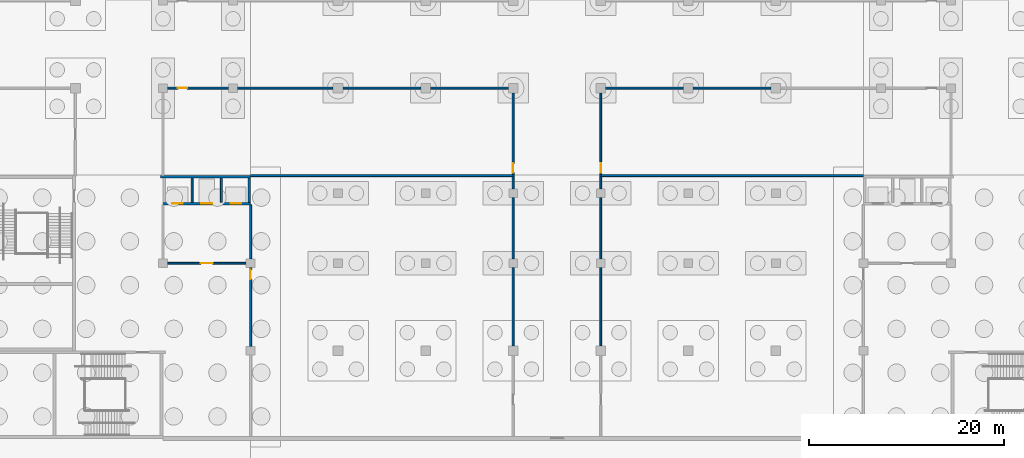
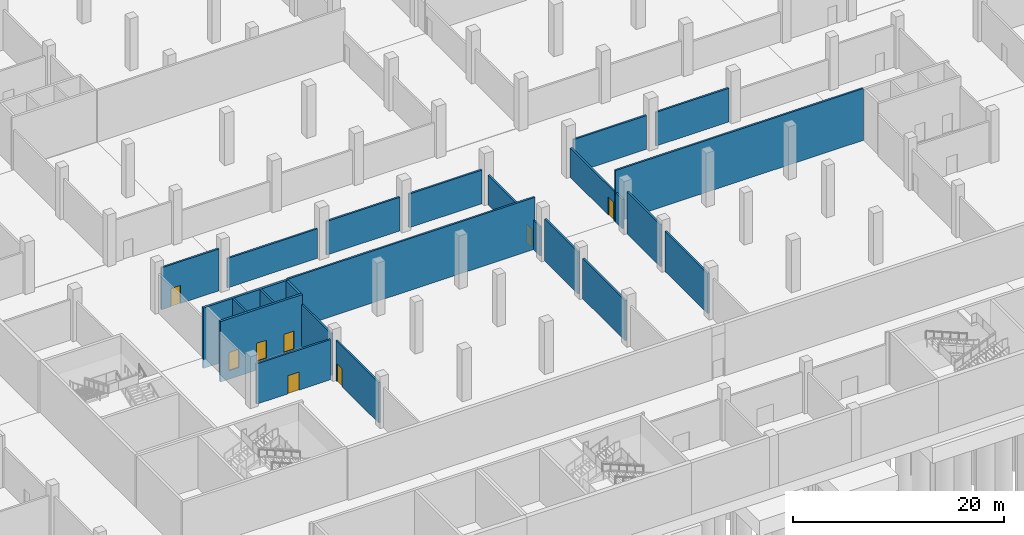
# One storey, part 11 of 42: 24 walls, 8 doors, 8 openings.
"""IFC4 building model written with IfcOpenShell, lengths in metres."""

from ifc_helpers import new_model, si_unit, direction, frame, frame_2d, origin, place, context, subcontext, project, spatial, rectangle, extrude, material, layer, layer_set, type_object, element, fill, save


model = new_model("IFC4")

# Units and contexts
model_context = context("Model", 3, precision=1e-05, world=origin(), true_north=direction((0.0, 1.0)))
body_context = subcontext(model_context, "Body", "Model", "MODEL_VIEW")
ifc_project = project(units=[si_unit("LENGTHUNIT", "METRE"), si_unit("AREAUNIT", "SQUARE_METRE"), si_unit("VOLUMEUNIT", "CUBIC_METRE"), si_unit("PLANEANGLEUNIT", "RADIAN"), si_unit("MASSUNIT", "GRAM", prefix="KILO")], contexts=[model_context])

# Site, building, storey
site_placement = place(None, origin())
site = spatial("IfcSite", under=ifc_project, at=site_placement, CompositionType="ELEMENT")
building_placement = place(site_placement, origin())
building = spatial("IfcBuilding", under=site, at=building_placement, Name="Silverbay Arena", CompositionType="ELEMENT")
storey_placement = place(building_placement, frame((0.0, 0.0, -6.0)))
storey = spatial("IfcBuildingStorey", under=building, at=storey_placement, Name="B1", CompositionType="ELEMENT", Elevation=-6.0)

# Walls
ifc_material_1 = material(Name="Concrete Grade C45", Category="concrete")
ifc_layer_1 = layer(ifc_material_1, 0.199951171875)
ifc_layer_set_1 = layer_set([ifc_layer_1], Name="Concrete Grade C45")
wall_type_1 = type_object("IfcWallType", Name="Lift shaft divider RC 200 EI 240", PredefinedType="SHEAR", material=ifc_layer_set_1)
for number, where, z_axis, x_axis, name in (
    (1, (93.0, 60.25, -1.0), (0.0, 0.0, 1.0), (0.0, 1.0, 0.0), "Lift shaft divider LB-SW B1 1"),
    (2, (96.0, 60.25, -1.0), (0.0, 0.0, 1.0), (0.0, 1.0, 0.0), "Lift shaft divider LB-SW B1 2"),
):
    element("IfcWall", number, at=place(storey_placement, frame(where, z_axis=z_axis, x_axis=x_axis)), inside=storey, type_object=wall_type_1, Name=name, PredefinedType="SHEAR", context=body_context, shape_type="SweptSolid", body=[
        extrude(rectangle(XDim=2.5, YDim=0.199951171875, at=frame_2d((1.25, 0.0))), origin(), (0.0, 0.0, 1.0), 7.0),
    ])

# Wall, openings, doors
ifc_material_2 = material(Name="Concrete Grade C45", Category="concrete")
ifc_layer_2 = layer(ifc_material_2, 0.25)
ifc_layer_set_2 = layer_set([ifc_layer_2], Name="Concrete Grade C45")
wall_type_2 = type_object("IfcWallType", Name="Lift shaft wall RC 250 EI 240", PredefinedType="SHEAR", material=ifc_layer_set_2)
wall_1_placement = place(storey_placement, frame((90.0, 60.125, -1.0), z_axis=(0.0, 0.0, 1.0), x_axis=(1.0, 0.0, 0.0)))
wall_1 = element("IfcWall", 3, at=wall_1_placement, inside=storey, type_object=wall_type_2, Name="Lift shaft wall LB-SW B1 landing side", PredefinedType="SHEAR", context=body_context, shape_type="SweptSolid", body=[
    extrude(rectangle(XDim=9.0, YDim=0.25, at=frame_2d((4.5, 0.0))), origin(), (0.0, 0.0, 1.0), 7.0),
])
opening_1_placement = place(wall_1_placement, frame((0.949951171875, 0.0, 1.0)))
opening_1 = element("IfcOpeningElement", 4, at=opening_1_placement, cuts=wall_1, Name="Opening B1-100", PredefinedType="OPENING", context=body_context, shape_type="SweptSolid", body=[
    extrude(rectangle(XDim=1.10009765625, YDim=2.10009765625, at=frame_2d((0.550048828125, 1.050048828125))), frame((0.0, 0.135009765625, 0.0), z_axis=(0.0, -1.0, 0.0), x_axis=(1.0, 0.0, 0.0)), (0.0, 0.0, 1.0), 0.27001953125),
])
opening_2_placement = place(wall_1_placement, frame((3.949951171875, 0.0, 1.0)))
opening_2 = element("IfcOpeningElement", 5, at=opening_2_placement, cuts=wall_1, Name="Opening B1-101", PredefinedType="OPENING", context=body_context, shape_type="SweptSolid", body=[
    extrude(rectangle(XDim=1.10009765625, YDim=2.10009765625, at=frame_2d((0.550048828125, 1.050048828125))), frame((0.0, 0.135009765625, 0.0), z_axis=(0.0, -1.0, 0.0), x_axis=(1.0, 0.0, 0.0)), (0.0, 0.0, 1.0), 0.27001953125),
])
opening_3_placement = place(wall_1_placement, frame((6.949951171875, 0.0, 1.0)))
opening_3 = element("IfcOpeningElement", 6, at=opening_3_placement, cuts=wall_1, Name="Opening B1-102", PredefinedType="OPENING", context=body_context, shape_type="SweptSolid", body=[
    extrude(rectangle(XDim=1.10009765625, YDim=2.10009765625, at=frame_2d((0.550048828125, 1.050048828125))), frame((0.0, 0.135009765625, 0.0), z_axis=(0.0, -1.0, 0.0), x_axis=(1.0, 0.0, 0.0)), (0.0, 0.0, 1.0), 0.27001953125),
])
ifc_material_3 = material(Name="Stainless steel", Category="steel")
door_type_1 = type_object("IfcDoorType", Name="LD1 lift landing door 1100 x 2100", OperationType="DOUBLE_DOOR_SLIDING", PredefinedType="DOOR", material=ifc_material_3)
door_1_placement = place(opening_1_placement, origin())
door_1 = element("IfcDoor", 7, at=door_1_placement, inside=storey, type_object=door_type_1, Name="Lift landing door LF2 B1", OperationType="DOUBLE_DOOR_SLIDING", OverallHeight=2.10009765625, OverallWidth=1.10009765625, PredefinedType="DOOR", context=body_context, shape_type="SweptSolid", body=[
    extrude(rectangle(XDim=1.10009765625, YDim=2.10009765625, at=frame_2d((0.550048828125, 1.050048828125))), frame((0.0, 0.02490234375, 0.0), z_axis=(0.0, -1.0, 0.0), x_axis=(1.0, 0.0, 0.0)), (0.0, 0.0, 1.0), 0.050048828125),
])
fill(opening_1, door_1)
door_2_placement = place(opening_2_placement, origin())
door_2 = element("IfcDoor", 8, at=door_2_placement, inside=storey, type_object=door_type_1, Name="Lift landing door LF4 B1", OperationType="DOUBLE_DOOR_SLIDING", OverallHeight=2.10009765625, OverallWidth=1.10009765625, PredefinedType="DOOR", context=body_context, shape_type="SweptSolid", body=[
    extrude(rectangle(XDim=1.10009765625, YDim=2.10009765625, at=frame_2d((0.550048828125, 1.050048828125))), frame((0.0, 0.02490234375, 0.0), z_axis=(0.0, -1.0, 0.0), x_axis=(1.0, 0.0, 0.0)), (0.0, 0.0, 1.0), 0.050048828125),
])
fill(opening_2, door_2)
door_3_placement = place(opening_3_placement, origin())
door_3 = element("IfcDoor", 9, at=door_3_placement, inside=storey, type_object=door_type_1, Name="Lift landing door LF5 B1", OperationType="DOUBLE_DOOR_SLIDING", OverallHeight=2.10009765625, OverallWidth=1.10009765625, PredefinedType="DOOR", context=body_context, shape_type="SweptSolid", body=[
    extrude(rectangle(XDim=1.10009765625, YDim=2.10009765625, at=frame_2d((0.550048828125, 1.050048828125))), frame((0.0, 0.02490234375, 0.0), z_axis=(0.0, -1.0, 0.0), x_axis=(1.0, 0.0, 0.0)), (0.0, 0.0, 1.0), 0.050048828125),
])
fill(opening_3, door_3)

# Walls
wall_2_placement = place(storey_placement, frame((89.75, 62.875, -1.0), z_axis=(0.0, 0.0, 1.0), x_axis=(1.0, 0.0, 0.0)))
element("IfcWall", 10, at=wall_2_placement, inside=storey, type_object=wall_type_2, Name="Lift shaft wall LB-SW B1 back", PredefinedType="SHEAR", context=body_context, shape_type="SweptSolid", body=[
    extrude(rectangle(XDim=9.25, YDim=0.25, at=frame_2d((4.625, 0.0))), origin(), (0.0, 0.0, 1.0), 7.0),
])
wall_3_placement = place(storey_placement, frame((98.875, 60.25, -1.0), z_axis=(0.0, 0.0, 1.0), x_axis=(0.0, 1.0, 0.0)))
element("IfcWall", 11, at=wall_3_placement, inside=storey, type_object=wall_type_2, Name="Lift shaft wall LB-SW B1 end", PredefinedType="SHEAR", context=body_context, shape_type="SweptSolid", body=[
    extrude(rectangle(XDim=2.5, YDim=0.25, at=frame_2d((1.25, 0.0))), origin(), (0.0, 0.0, 1.0), 7.0),
])

# Wall, opening, door
ifc_material_4 = material(Name="Masonry blockwork partition", Category="masonry")
ifc_layer_3 = layer(ifc_material_4, 0.199951171875)
ifc_layer_set_3 = layer_set([ifc_layer_3], Name="Masonry blockwork partition")
wall_type_3 = type_object("IfcWallType", Name="Partition 200 EI 240", PredefinedType="PARTITIONING", material=ifc_layer_set_3)
wall_4_placement = place(storey_placement, frame((90.449951171875, 54.0, 0.0), z_axis=(0.0, 0.0, 1.0), x_axis=(1.0, 0.0, 0.0)))
wall_4 = element("IfcWall", 12, at=wall_4_placement, inside=storey, type_object=wall_type_3, Name="Partition wall", PredefinedType="PARTITIONING", context=body_context, shape_type="SweptSolid", body=[
    extrude(rectangle(XDim=8.10009765625, YDim=0.199951171875, at=frame_2d((4.050048828125, 0.0))), origin(), (0.0, 0.0, 1.0), 4.64990234375),
])
opening_4_placement = place(wall_4_placement, frame((3.449951171875, 0.0, 0.0)))
opening_4 = element("IfcOpeningElement", 13, at=opening_4_placement, cuts=wall_4, Name="Opening B1-037", PredefinedType="OPENING", context=body_context, shape_type="SweptSolid", body=[
    extrude(rectangle(XDim=1.199951171875, YDim=2.10009765625, at=frame_2d((0.60009765625, 1.050048828125))), frame((0.0, 0.10986328125, 0.0), z_axis=(0.0, -1.0, 0.0), x_axis=(1.0, 0.0, 0.0)), (0.0, 0.0, 1.0), 0.219970703125),
])
ifc_material_5 = material(Name="Steel faced timber", Category="steel")
door_type_2 = type_object("IfcDoorType", Name="Single leaf door 1200 x 2100 FD240", OperationType="SINGLE_SWING_LEFT", PredefinedType="DOOR", material=ifc_material_5)
door_4_placement = place(opening_4_placement, frame((1.199951171875, 0.0, 0.0), z_axis=(0.0, 0.0, 1.0), x_axis=(-1.0, 0.0, 0.0)))
door_4 = element("IfcDoor", 14, at=door_4_placement, inside=storey, type_object=door_type_2, Name="Door B1-037", OperationType="SINGLE_SWING_RIGHT", OverallHeight=2.10009765625, OverallWidth=1.199951171875, PredefinedType="DOOR", context=body_context, shape_type="SweptSolid", body=[
    extrude(rectangle(XDim=1.199951171875, YDim=2.10009765625, at=frame_2d((0.60009765625, 1.050048828125))), frame((0.0, 0.02490234375, 0.0), z_axis=(0.0, -1.0, 0.0), x_axis=(1.0, 0.0, 0.0)), (0.0, 0.0, 1.0), 0.050048828125),
])
fill(opening_4, door_4)

# Walls
for number, where, z_axis, x_axis, name in (
    (15, (99.0, 63.0, 0.0), (0.0, 0.0, 1.0), (1.0, 0.0, 0.0), "Partition wall"),
    (16, (134.89990234375, 63.0, 0.0), (0.0, 0.0, 1.0), (1.0, 0.0, 0.0), "Partition wall"),
):
    element("IfcWall", number, at=place(storey_placement, frame(where, z_axis=z_axis, x_axis=x_axis)), inside=storey, type_object=wall_type_3, Name=name, PredefinedType="PARTITIONING", context=body_context, shape_type="SweptSolid", body=[
        extrude(rectangle(XDim=27.10009765625, YDim=0.199951171875, at=frame_2d((13.550048828125, 0.0))), origin(), (0.0, 0.0, 1.0), 6.0),
    ])
for number, where, z_axis, x_axis, name in (
    (17, (117.5, 72.0, 0.0), (0.0, 0.0, 1.0), (1.0, 0.0, 0.0), "Partition wall"),
    (18, (108.5, 72.0, 0.0), (0.0, 0.0, 1.0), (1.0, 0.0, 0.0), "Partition wall"),
):
    element("IfcWall", number, at=place(storey_placement, frame(where, z_axis=z_axis, x_axis=x_axis)), inside=storey, type_object=wall_type_3, Name=name, PredefinedType="PARTITIONING", context=body_context, shape_type="SweptSolid", body=[
        extrude(rectangle(XDim=8.0, YDim=0.199951171875, at=frame_2d((4.0, 0.0))), origin(), (0.0, 0.0, 1.0), 3.89990234375),
    ])
wall_5_placement = place(storey_placement, frame((97.64990234375, 72.0, 0.0), z_axis=(0.0, 0.0, 1.0), x_axis=(1.0, 0.0, 0.0)))
element("IfcWall", 19, at=wall_5_placement, inside=storey, type_object=wall_type_3, Name="Partition wall", PredefinedType="PARTITIONING", context=body_context, shape_type="SweptSolid", body=[
    extrude(rectangle(XDim=9.85009765625, YDim=0.199951171875, at=frame_2d((4.925048828125, 0.0))), origin(), (0.0, 0.0, 1.0), 3.39990234375),
])

# Wall, opening, door
wall_6_placement = place(storey_placement, frame((90.449951171875, 72.0, 0.0), z_axis=(0.0, 0.0, 1.0), x_axis=(1.0, 0.0, 0.0)))
wall_6 = element("IfcWall", 20, at=wall_6_placement, inside=storey, type_object=wall_type_3, Name="Partition wall", PredefinedType="PARTITIONING", context=body_context, shape_type="SweptSolid", body=[
    extrude(rectangle(XDim=6.300048828125, YDim=0.199951171875, at=frame_2d((3.14990234375, 0.0))), origin(), (0.0, 0.0, 1.0), 4.85009765625),
])
opening_5_placement = place(wall_6_placement, frame((1.050048828125, 0.0, 0.0)))
opening_5 = element("IfcOpeningElement", 21, at=opening_5_placement, cuts=wall_6, Name="Opening B1-043", PredefinedType="OPENING", context=body_context, shape_type="SweptSolid", body=[
    extrude(rectangle(XDim=1.0, YDim=2.10009765625, at=frame_2d((0.5, 1.050048828125))), frame((0.0, 0.10986328125, 0.0), z_axis=(0.0, -1.0, 0.0), x_axis=(1.0, 0.0, 0.0)), (0.0, 0.0, 1.0), 0.219970703125),
])
ifc_material_6 = material(Name="Steel faced timber", Category="steel")
door_type_3 = type_object("IfcDoorType", Name="Single leaf door 1000 x 2100 FD30S", OperationType="SINGLE_SWING_LEFT", PredefinedType="DOOR", material=ifc_material_6)
door_5_placement = place(opening_5_placement, frame((1.0, 0.0, 0.0), z_axis=(0.0, 0.0, 1.0), x_axis=(-1.0, 0.0, 0.0)))
door_5 = element("IfcDoor", 22, at=door_5_placement, inside=storey, type_object=door_type_3, Name="Door B1-043", OperationType="SINGLE_SWING_RIGHT", OverallHeight=2.10009765625, OverallWidth=1.0, PredefinedType="DOOR", context=body_context, shape_type="SweptSolid", body=[
    extrude(rectangle(XDim=1.0, YDim=2.10009765625, at=frame_2d((0.5, 1.050048828125))), frame((0.0, 0.02490234375, 0.0), z_axis=(0.0, -1.0, 0.0), x_axis=(1.0, 0.0, 0.0)), (0.0, 0.0, 1.0), 0.050048828125),
])
fill(opening_5, door_5)

# Walls
for number, where, z_axis, x_axis, name in (
    (23, (144.5, 72.0, 0.0), (0.0, 0.0, 1.0), (1.0, 0.0, 0.0), "Partition wall"),
    (24, (135.5, 72.0, 0.0), (0.0, 0.0, 1.0), (1.0, 0.0, 0.0), "Partition wall"),
):
    element("IfcWall", number, at=place(storey_placement, frame(where, z_axis=z_axis, x_axis=x_axis)), inside=storey, type_object=wall_type_3, Name=name, PredefinedType="PARTITIONING", context=body_context, shape_type="SweptSolid", body=[
        extrude(rectangle(XDim=8.0, YDim=0.199951171875, at=frame_2d((4.0, 0.0))), origin(), (0.0, 0.0, 1.0), 3.89990234375),
    ])

# Wall, opening, door
wall_7_placement = place(storey_placement, frame((99.0, 45.449951171875, 0.0), z_axis=(0.0, 0.0, 1.0), x_axis=(0.0, 1.0, 0.0)))
wall_7 = element("IfcWall", 25, at=wall_7_placement, inside=storey, type_object=wall_type_3, Name="Partition wall", PredefinedType="PARTITIONING", context=body_context, shape_type="SweptSolid", body=[
    extrude(rectangle(XDim=8.10009765625, YDim=0.199951171875, at=frame_2d((4.050048828125, 0.0))), origin(), (0.0, 0.0, 1.0), 4.64990234375),
])
opening_6_placement = place(wall_7_placement, frame((6.89990234375, 0.0, 0.0)))
opening_6 = element("IfcOpeningElement", 26, at=opening_6_placement, cuts=wall_7, Name="Opening B1-070", PredefinedType="OPENING", context=body_context, shape_type="SweptSolid", body=[
    extrude(rectangle(XDim=1.0, YDim=2.10009765625, at=frame_2d((0.5, 1.050048828125))), frame((0.0, 0.10986328125, 0.0), z_axis=(0.0, -1.0, 0.0), x_axis=(1.0, 0.0, 0.0)), (0.0, 0.0, 1.0), 0.219970703125),
])
ifc_material_7 = material(Name="Steel faced timber", Category="steel")
door_type_4 = type_object("IfcDoorType", Name="Single leaf door 1000 x 2100 FD240", OperationType="SINGLE_SWING_LEFT", PredefinedType="DOOR", material=ifc_material_7)
door_6_placement = place(opening_6_placement, frame((1.0, 0.0, 0.0), z_axis=(0.0, 0.0, 1.0), x_axis=(-1.0, 0.0, 0.0)))
door_6 = element("IfcDoor", 27, at=door_6_placement, inside=storey, type_object=door_type_4, Name="Door B1-070", OperationType="SINGLE_SWING_LEFT", OverallHeight=2.10009765625, OverallWidth=1.0, PredefinedType="DOOR", context=body_context, shape_type="SweptSolid", body=[
    extrude(rectangle(XDim=1.0, YDim=2.10009765625, at=frame_2d((0.5, 1.050048828125))), frame((0.0, 0.02490234375, 0.0), z_axis=(0.0, -1.0, 0.0), x_axis=(1.0, 0.0, 0.0)), (0.0, 0.0, 1.0), 0.050048828125),
])
fill(opening_6, door_6)

# Walls
wall_8_placement = place(storey_placement, frame((99.0, 54.449951171875, 0.0), z_axis=(0.0, 0.0, 1.0), x_axis=(0.0, 1.0, 0.0)))
element("IfcWall", 28, at=wall_8_placement, inside=storey, type_object=wall_type_3, Name="Partition wall", PredefinedType="PARTITIONING", context=body_context, shape_type="SweptSolid", body=[
    extrude(rectangle(XDim=5.550048828125, YDim=0.199951171875, at=frame_2d((2.77490234375, 0.0))), origin(), (0.0, 0.0, 1.0), 4.85009765625),
])
wall_9_placement = place(storey_placement, frame((126.0, 45.5, 0.0), z_axis=(0.0, 0.0, 1.0), x_axis=(0.0, 1.0, 0.0)))
element("IfcWall", 29, at=wall_9_placement, inside=storey, type_object=wall_type_3, Name="Partition wall", PredefinedType="PARTITIONING", context=body_context, shape_type="SweptSolid", body=[
    extrude(rectangle(XDim=8.050048828125, YDim=0.199951171875, at=frame_2d((4.02490234375, 0.0))), origin(), (0.0, 0.0, 1.0), 4.64990234375),
])
wall_10_placement = place(storey_placement, frame((126.0, 54.449951171875, 0.0), z_axis=(0.0, 0.0, 1.0), x_axis=(0.0, 1.0, 0.0)))
element("IfcWall", 30, at=wall_10_placement, inside=storey, type_object=wall_type_3, Name="Partition wall", PredefinedType="PARTITIONING", context=body_context, shape_type="SweptSolid", body=[
    extrude(rectangle(XDim=6.300048828125, YDim=0.199951171875, at=frame_2d((3.14990234375, 0.0))), origin(), (0.0, 0.0, 1.0), 4.85009765625),
])
wall_11_placement = place(storey_placement, frame((126.0, 61.64990234375, 0.0), z_axis=(0.0, 0.0, 1.0), x_axis=(0.0, 1.0, 0.0)))
element("IfcWall", 31, at=wall_11_placement, inside=storey, type_object=wall_type_3, Name="Partition wall", PredefinedType="PARTITIONING", context=body_context, shape_type="SweptSolid", body=[
    extrude(rectangle(XDim=1.25, YDim=0.199951171875, at=frame_2d((0.625, 0.0))), origin(), (0.0, 0.0, 1.0), 3.39990234375),
])

# Wall, opening, door
wall_12_placement = place(storey_placement, frame((126.0, 63.10009765625, 0.0), z_axis=(0.0, 0.0, 1.0), x_axis=(0.0, 1.0, 0.0)))
wall_12 = element("IfcWall", 32, at=wall_12_placement, inside=storey, type_object=wall_type_3, Name="Partition wall", PredefinedType="PARTITIONING", context=body_context, shape_type="SweptSolid", body=[
    extrude(rectangle(XDim=8.39990234375, YDim=0.199951171875, at=frame_2d((4.199951171875, 0.0))), origin(), (0.0, 0.0, 1.0), 3.39990234375),
])
opening_7_placement = place(wall_12_placement, frame((0.199951171875, 0.0, 0.0)))
opening_7 = element("IfcOpeningElement", 33, at=opening_7_placement, cuts=wall_12, Name="Opening B1-071", PredefinedType="OPENING", context=body_context, shape_type="SweptSolid", body=[
    extrude(rectangle(XDim=1.0, YDim=2.10009765625, at=frame_2d((0.5, 1.050048828125))), frame((0.0, 0.10986328125, 0.0), z_axis=(0.0, -1.0, 0.0), x_axis=(1.0, 0.0, 0.0)), (0.0, 0.0, 1.0), 0.219970703125),
])
door_7_placement = place(opening_7_placement, origin())
door_7 = element("IfcDoor", 34, at=door_7_placement, inside=storey, type_object=door_type_3, Name="Door B1-071", OperationType="SINGLE_SWING_LEFT", OverallHeight=2.10009765625, OverallWidth=1.0, PredefinedType="DOOR", context=body_context, shape_type="SweptSolid", body=[
    extrude(rectangle(XDim=1.0, YDim=2.10009765625, at=frame_2d((0.5, 1.050048828125))), frame((0.0, 0.02490234375, 0.0), z_axis=(0.0, -1.0, 0.0), x_axis=(1.0, 0.0, 0.0)), (0.0, 0.0, 1.0), 0.050048828125),
])
fill(opening_7, door_7)

# Walls
wall_13_placement = place(storey_placement, frame((135.0, 45.5, 0.0), z_axis=(0.0, 0.0, 1.0), x_axis=(0.0, 1.0, 0.0)))
element("IfcWall", 35, at=wall_13_placement, inside=storey, type_object=wall_type_3, Name="Partition wall", PredefinedType="PARTITIONING", context=body_context, shape_type="SweptSolid", body=[
    extrude(rectangle(XDim=8.050048828125, YDim=0.199951171875, at=frame_2d((4.02490234375, 0.0))), origin(), (0.0, 0.0, 1.0), 4.64990234375),
])
wall_14_placement = place(storey_placement, frame((135.0, 54.449951171875, 0.0), z_axis=(0.0, 0.0, 1.0), x_axis=(0.0, 1.0, 0.0)))
element("IfcWall", 36, at=wall_14_placement, inside=storey, type_object=wall_type_3, Name="Partition wall", PredefinedType="PARTITIONING", context=body_context, shape_type="SweptSolid", body=[
    extrude(rectangle(XDim=6.300048828125, YDim=0.199951171875, at=frame_2d((3.14990234375, 0.0))), origin(), (0.0, 0.0, 1.0), 4.85009765625),
])
wall_15_placement = place(storey_placement, frame((135.0, 61.64990234375, 0.0), z_axis=(0.0, 0.0, 1.0), x_axis=(0.0, 1.0, 0.0)))
element("IfcWall", 37, at=wall_15_placement, inside=storey, type_object=wall_type_3, Name="Partition wall", PredefinedType="PARTITIONING", context=body_context, shape_type="SweptSolid", body=[
    extrude(rectangle(XDim=1.25, YDim=0.199951171875, at=frame_2d((0.625, 0.0))), origin(), (0.0, 0.0, 1.0), 3.39990234375),
])

# Wall, opening, door
wall_16_placement = place(storey_placement, frame((135.0, 63.10009765625, 0.0), z_axis=(0.0, 0.0, 1.0), x_axis=(0.0, 1.0, 0.0)))
wall_16 = element("IfcWall", 38, at=wall_16_placement, inside=storey, type_object=wall_type_3, Name="Partition wall", PredefinedType="PARTITIONING", context=body_context, shape_type="SweptSolid", body=[
    extrude(rectangle(XDim=8.39990234375, YDim=0.199951171875, at=frame_2d((4.199951171875, 0.0))), origin(), (0.0, 0.0, 1.0), 3.39990234375),
])
opening_8_placement = place(wall_16_placement, frame((0.199951171875, 0.0, 0.0)))
opening_8 = element("IfcOpeningElement", 39, at=opening_8_placement, cuts=wall_16, Name="Opening B1-073", PredefinedType="OPENING", context=body_context, shape_type="SweptSolid", body=[
    extrude(rectangle(XDim=1.0, YDim=2.10009765625, at=frame_2d((0.5, 1.050048828125))), frame((0.0, 0.10986328125, 0.0), z_axis=(0.0, -1.0, 0.0), x_axis=(1.0, 0.0, 0.0)), (0.0, 0.0, 1.0), 0.219970703125),
])
door_8_placement = place(opening_8_placement, frame((1.0, 0.0, 0.0), z_axis=(0.0, 0.0, 1.0), x_axis=(-1.0, 0.0, 0.0)))
door_8 = element("IfcDoor", 40, at=door_8_placement, inside=storey, type_object=door_type_3, Name="Door B1-073", OperationType="SINGLE_SWING_RIGHT", OverallHeight=2.10009765625, OverallWidth=1.0, PredefinedType="DOOR", context=body_context, shape_type="SweptSolid", body=[
    extrude(rectangle(XDim=1.0, YDim=2.10009765625, at=frame_2d((0.5, 1.050048828125))), frame((0.0, 0.02490234375, 0.0), z_axis=(0.0, -1.0, 0.0), x_axis=(1.0, 0.0, 0.0)), (0.0, 0.0, 1.0), 0.050048828125),
])
fill(opening_8, door_8)

save(model, "model.ifc")
